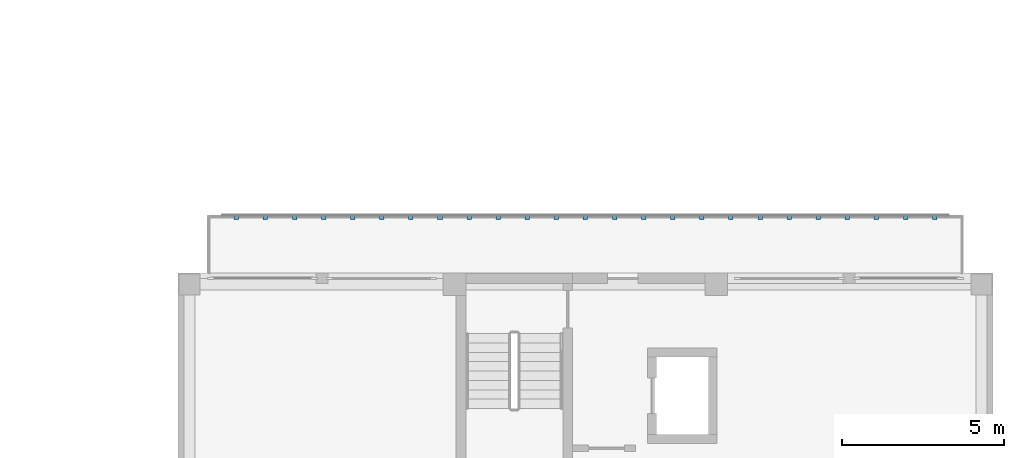
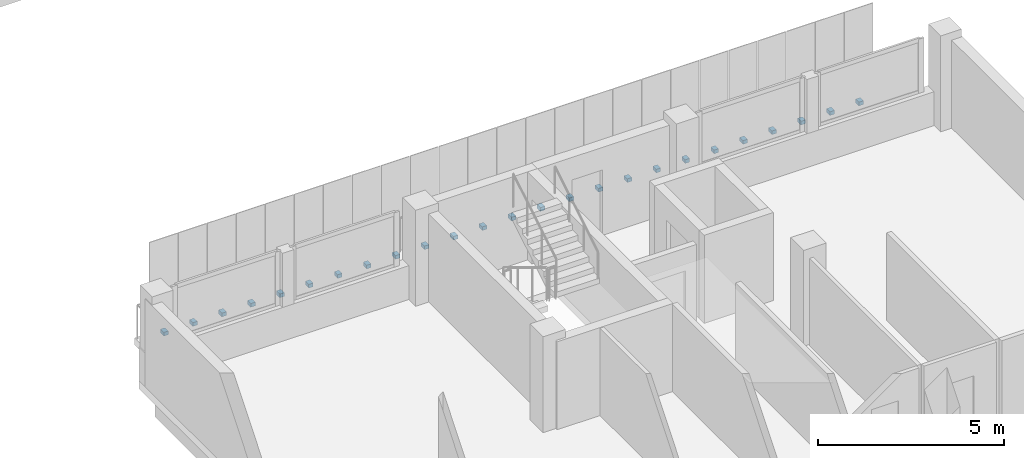
# One storey, part 38 of 51: 25 discrete accessories.
"""IFC4 building model written with IfcOpenShell, lengths in metres."""

from ifc_helpers import new_model, si_unit, derived_unit, direction, frame, origin, origin_2d, place, context, subcontext, project, spatial, rectangle, extrude, material, type_object, element, save


model = new_model("IFC4")

# Units and contexts
model_context = context("Model", 3, precision=1e-05, world=origin(), true_north=direction((0.0, 1.0)))
body_context = subcontext(model_context, "Body", "Model", "MODEL_VIEW")
ifc_project = project(units=[si_unit("LENGTHUNIT", "METRE"), si_unit("AREAUNIT", "SQUARE_METRE"), si_unit("VOLUMEUNIT", "CUBIC_METRE"), si_unit("PLANEANGLEUNIT", "RADIAN"), si_unit("MASSUNIT", "GRAM", prefix="KILO"), derived_unit("THERMALTRANSMITTANCEUNIT", [(si_unit("MASSUNIT", "GRAM", prefix="KILO"), 1), (si_unit("TIMEUNIT", "SECOND"), -3), (si_unit("THERMODYNAMICTEMPERATUREUNIT", "KELVIN"), -1)])], contexts=[model_context])

# Site, building, storey
site_placement = place(None, origin())
site = spatial("IfcSite", under=ifc_project, at=site_placement, CompositionType="ELEMENT")
building_placement = place(site_placement, origin())
building = spatial("IfcBuilding", under=site, at=building_placement, Name="Ochrekiln Boulevard Commons", CompositionType="ELEMENT")
storey_placement = place(building_placement, frame((0.0, 0.0, 15.22509765625)))
storey = spatial("IfcBuildingStorey", under=building, at=storey_placement, Name="L04", CompositionType="ELEMENT", Elevation=15.22509765625)

# Discrete accessories
ifc_material = material(Name="Steel A992 Grade 50", Category="steel")
discrete_accessory_type = type_object("IfcDiscreteAccessoryType", Name="ACC-BRK-CLEAT", PredefinedType="BRACKET", material=ifc_material)
for number, where, z_axis, x_axis, name in (
    (1, (149.39990234375, 52.139892578125, -0.14013671875), (0.0, 0.0, 1.0), (1.0, 0.0, 0.0), "Bronze Screen Slab-Edge Support Bracket 76"),
    (2, (150.300048828125, 52.139892578125, -0.14013671875), (0.0, 0.0, 1.0), (1.0, 0.0, 0.0), "Bronze Screen Slab-Edge Support Bracket 77"),
    (3, (151.199951171875, 52.139892578125, -0.14013671875), (0.0, 0.0, 1.0), (1.0, 0.0, 0.0), "Bronze Screen Slab-Edge Support Bracket 78"),
    (4, (152.10009765625, 52.139892578125, -0.14013671875), (0.0, 0.0, 1.0), (1.0, 0.0, 0.0), "Bronze Screen Slab-Edge Support Bracket 79"),
    (5, (153.0, 52.139892578125, -0.14013671875), (0.0, 0.0, 1.0), (1.0, 0.0, 0.0), "Bronze Screen Slab-Edge Support Bracket 80"),
    (6, (153.89990234375, 52.139892578125, -0.14013671875), (0.0, 0.0, 1.0), (1.0, 0.0, 0.0), "Bronze Screen Slab-Edge Support Bracket 81"),
    (7, (154.800048828125, 52.139892578125, -0.14013671875), (0.0, 0.0, 1.0), (1.0, 0.0, 0.0), "Bronze Screen Slab-Edge Support Bracket 82"),
    (8, (155.699951171875, 52.139892578125, -0.14013671875), (0.0, 0.0, 1.0), (1.0, 0.0, 0.0), "Bronze Screen Slab-Edge Support Bracket 83"),
    (9, (156.60009765625, 52.139892578125, -0.14013671875), (0.0, 0.0, 1.0), (1.0, 0.0, 0.0), "Bronze Screen Slab-Edge Support Bracket 84"),
    (10, (157.5, 52.139892578125, -0.14013671875), (0.0, 0.0, 1.0), (1.0, 0.0, 0.0), "Bronze Screen Slab-Edge Support Bracket 85"),
    (11, (158.39990234375, 52.139892578125, -0.14013671875), (0.0, 0.0, 1.0), (1.0, 0.0, 0.0), "Bronze Screen Slab-Edge Support Bracket 86"),
    (12, (159.300048828125, 52.139892578125, -0.14013671875), (0.0, 0.0, 1.0), (1.0, 0.0, 0.0), "Bronze Screen Slab-Edge Support Bracket 87"),
    (13, (160.199951171875, 52.139892578125, -0.14013671875), (0.0, 0.0, 1.0), (1.0, 0.0, 0.0), "Bronze Screen Slab-Edge Support Bracket 88"),
    (14, (161.10009765625, 52.139892578125, -0.14013671875), (0.0, 0.0, 1.0), (1.0, 0.0, 0.0), "Bronze Screen Slab-Edge Support Bracket 89"),
    (15, (162.0, 52.139892578125, -0.14013671875), (0.0, 0.0, 1.0), (1.0, 0.0, 0.0), "Bronze Screen Slab-Edge Support Bracket 90"),
    (16, (162.89990234375, 52.139892578125, -0.14013671875), (0.0, 0.0, 1.0), (1.0, 0.0, 0.0), "Bronze Screen Slab-Edge Support Bracket 91"),
    (17, (163.800048828125, 52.139892578125, -0.14013671875), (0.0, 0.0, 1.0), (1.0, 0.0, 0.0), "Bronze Screen Slab-Edge Support Bracket 92"),
    (18, (164.699951171875, 52.139892578125, -0.14013671875), (0.0, 0.0, 1.0), (1.0, 0.0, 0.0), "Bronze Screen Slab-Edge Support Bracket 93"),
    (19, (165.60009765625, 52.139892578125, -0.14013671875), (0.0, 0.0, 1.0), (1.0, 0.0, 0.0), "Bronze Screen Slab-Edge Support Bracket 94"),
    (20, (166.5, 52.139892578125, -0.14013671875), (0.0, 0.0, 1.0), (1.0, 0.0, 0.0), "Bronze Screen Slab-Edge Support Bracket 95"),
    (21, (167.39990234375, 52.139892578125, -0.14013671875), (0.0, 0.0, 1.0), (1.0, 0.0, 0.0), "Bronze Screen Slab-Edge Support Bracket 96"),
    (22, (168.300048828125, 52.139892578125, -0.14013671875), (0.0, 0.0, 1.0), (1.0, 0.0, 0.0), "Bronze Screen Slab-Edge Support Bracket 97"),
    (23, (169.199951171875, 52.139892578125, -0.14013671875), (0.0, 0.0, 1.0), (1.0, 0.0, 0.0), "Bronze Screen Slab-Edge Support Bracket 98"),
    (24, (170.10009765625, 52.139892578125, -0.14013671875), (0.0, 0.0, 1.0), (1.0, 0.0, 0.0), "Bronze Screen Slab-Edge Support Bracket 99"),
    (25, (171.0, 52.139892578125, -0.14013671875), (0.0, 0.0, 1.0), (1.0, 0.0, 0.0), "Bronze Screen Slab-Edge Support Bracket 100"),
):
    element("IfcDiscreteAccessory", number, at=place(storey_placement, frame(where, z_axis=z_axis, x_axis=x_axis)), inside=storey, type_object=discrete_accessory_type, Name=name, PredefinedType="BRACKET", context=body_context, shape_type="SweptSolid", body=[
        extrude(rectangle(XDim=0.139892578125, YDim=0.179931640625, at=origin_2d()), origin(), (0.0, 0.0, 1.0), 0.1201171875),
    ])

save(model, "model.ifc")
